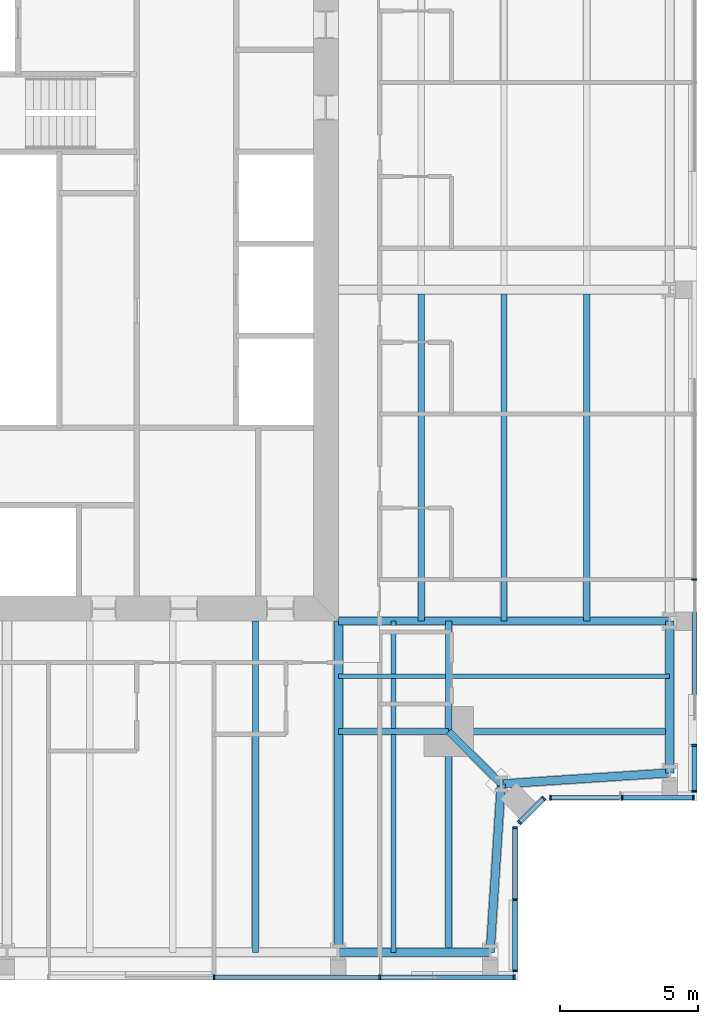
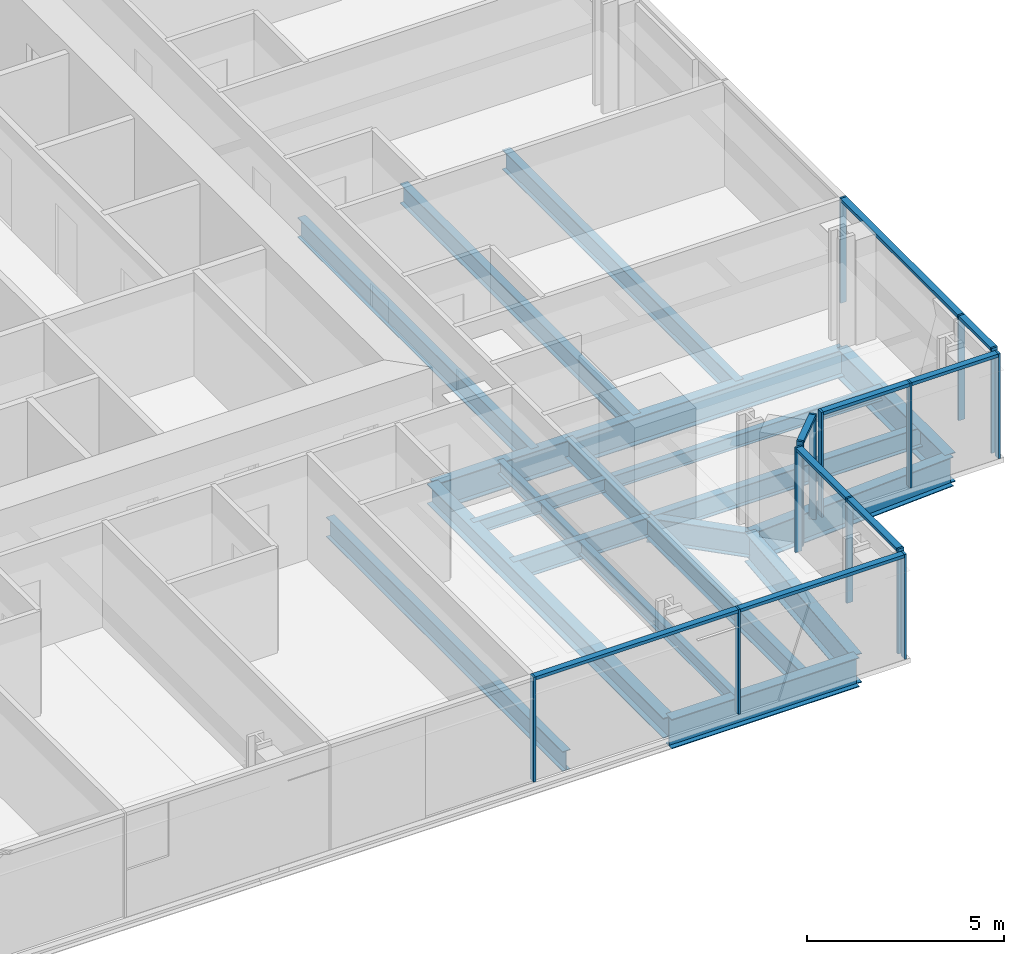
# One storey, part 5 of 20: 23 members, 20 beams, 5 elements without a shape of their own.
"""IFC4 building model written with IfcOpenShell, lengths in metres."""

from ifc_helpers import new_model, si_unit, direction, frame, origin, origin_2d, place, context, subcontext, project, spatial, rectangle, i_section, extrude, material, material_profile, profile_set, type_object, element, aggregate, save


model = new_model("IFC4")

# Units and contexts
model_context = context("Model", 3, precision=1e-05, world=origin(), true_north=direction((0.0, 1.0)))
body_context = subcontext(model_context, "Body", "Model", "MODEL_VIEW")
ifc_project = project(units=[si_unit("LENGTHUNIT", "METRE"), si_unit("AREAUNIT", "SQUARE_METRE"), si_unit("VOLUMEUNIT", "CUBIC_METRE"), si_unit("PLANEANGLEUNIT", "RADIAN"), si_unit("MASSUNIT", "GRAM", prefix="KILO")], contexts=[model_context])

# Site, building, storey
site_placement = place(None, origin())
site = spatial("IfcSite", under=ifc_project, at=site_placement, CompositionType="ELEMENT")
building_placement = place(site_placement, origin())
building = spatial("IfcBuilding", under=site, at=building_placement, Name="Fenwick Lantern Interchange", CompositionType="ELEMENT")
storey_placement = place(building_placement, frame((0.0, 0.0, 252.60009765625)))
storey = spatial("IfcBuildingStorey", under=building, at=storey_placement, Name="L59", CompositionType="ELEMENT", Elevation=252.60009765625)

# Beams
ifc_material_1 = material(Name="Steel ASTM A992 Grade 50", Category="steel")
ifc_material_profile_1 = material_profile(ifc_material_1, i_section(OverallWidth=0.3046875, OverallDepth=0.911865234375, WebThickness=0.015869140625, FlangeThickness=0.02392578125, at=origin_2d()), Name="W36X150")
ifc_profile_set_1 = profile_set([ifc_material_profile_1], Name="Steel ASTM A992 Grade 50")
beam_type_1 = type_object("IfcBeamType", Name="EDGE BEAM W36X150", PredefinedType="SPANDREL", material=ifc_profile_set_1)
beam_1_placement = place(storey_placement, frame((37.0, 1.0, -0.60595703125), z_axis=(1.0, 0.0, 0.0), x_axis=(0.0, 1.0, 0.0)))
element("IfcBeam", 1, at=beam_1_placement, inside=storey, type_object=beam_type_1, Name="L59/FR/S/EB4", PredefinedType="SPANDREL", context=body_context, shape_type="SweptSolid", body=[
    extrude(i_section(OverallWidth=0.3046875, OverallDepth=0.911865234375, WebThickness=0.015869140625, FlangeThickness=0.02392578125, at=origin_2d()), origin(), (0.0, 0.0, 1.0), 5.5),
])
for number, where, z_axis, x_axis, name in (
    (2, (42.5, 1.0, -0.60595703125), (0.065416293237, 0.997858060337, 0.0), (-0.997858060337, 0.065416293237, 0.0), "L59/FR/S/EBR1"),
    (3, (42.89990234375, 7.10009765625, -0.60595703125), (0.997858060337, 0.065416293237, 0.0), (-0.065416293237, 0.997858060337, 0.0), "L59/FR/S/EBR2"),
):
    element("IfcBeam", number, at=place(storey_placement, frame(where, z_axis=z_axis, x_axis=x_axis)), inside=storey, type_object=beam_type_1, Name=name, PredefinedType="SPANDREL", context=body_context, shape_type="SweptSolid", body=[
        extrude(i_section(OverallWidth=0.3046875, OverallDepth=0.911865234375, WebThickness=0.015869140625, FlangeThickness=0.02392578125, at=origin_2d()), origin(), (0.0, 0.0, 1.0), 6.11328125),
    ])
beam_2_placement = place(storey_placement, frame((49.0, 7.5, -0.60595703125), z_axis=(0.0, 1.0, 0.0), x_axis=(-1.0, 0.0, 0.0)))
element("IfcBeam", 4, at=beam_2_placement, inside=storey, type_object=beam_type_1, Name="L59/FR/E/EB1", PredefinedType="SPANDREL", context=body_context, shape_type="SweptSolid", body=[
    extrude(i_section(OverallWidth=0.3046875, OverallDepth=0.911865234375, WebThickness=0.015869140625, FlangeThickness=0.02392578125, at=origin_2d()), origin(), (0.0, 0.0, 1.0), 5.5),
])
ifc_material_profile_2 = material_profile(ifc_material_1, i_section(OverallWidth=0.22900390625, OverallDepth=0.612060546875, WebThickness=0.011962890625, FlangeThickness=0.01953125, at=origin_2d()), Name="W24X84")
ifc_profile_set_2 = profile_set([ifc_material_profile_2], Name="Steel ASTM A992 Grade 50")
beam_type_2 = type_object("IfcBeamType", Name="FLOOR BEAM W24X84", PredefinedType="BEAM", material=ifc_profile_set_2)
beam_3_placement = place(storey_placement, frame((34.0, 1.0, -0.4560546875), z_axis=(0.0, 1.0, 0.0), x_axis=(-1.0, 0.0, 0.0)))
element("IfcBeam", 5, at=beam_3_placement, inside=storey, type_object=beam_type_2, Name="L59/FR/S/R08", PredefinedType="BEAM", context=body_context, shape_type="SweptSolid", body=[
    extrude(i_section(OverallWidth=0.22900390625, OverallDepth=0.612060546875, WebThickness=0.011962890625, FlangeThickness=0.01953125, at=origin_2d()), origin(), (0.0, 0.0, 1.0), 12.0),
])
for number, where, z_axis, x_axis, name in (
    (6, (46.0, 13.0, -0.4560546875), (0.0, 1.0, 0.0), (-1.0, 0.0, 0.0), "L59/FR/E/B01"),
    (7, (43.0, 13.0, -0.4560546875), (0.0, 1.0, 0.0), (-1.0, 0.0, 0.0), "L59/FR/E/B02"),
    (8, (40.0, 13.0, -0.4560546875), (0.0, 1.0, 0.0), (-1.0, 0.0, 0.0), "L59/FR/E/B03"),
):
    element("IfcBeam", number, at=place(storey_placement, frame(where, z_axis=z_axis, x_axis=x_axis)), inside=storey, type_object=beam_type_2, Name=name, PredefinedType="BEAM", context=body_context, shape_type="SweptSolid", body=[
        extrude(i_section(OverallWidth=0.22900390625, OverallDepth=0.612060546875, WebThickness=0.011962890625, FlangeThickness=0.01953125, at=origin_2d()), origin(), (0.0, 0.0, 1.0), 11.844970703125),
    ])

# Curtain wall, members
ifc_material_2 = material(Name="Aluminium curtain wall frame", Category="aluminium")
curtain_wall_type = type_object("IfcCurtainWallType", Name="HOTEL CURTAIN WALL", PredefinedType="USERDEFINED", material=ifc_material_2)
curtain_wall_1_placement = place(storey_placement, origin())
curtain_wall_1 = element("IfcCurtainWall", 9, at=curtain_wall_1_placement, inside=storey, type_object=curtain_wall_type, Name="Hotel curtain wall 01", ObjectType="HOTEL CURTAIN WALL", PredefinedType="USERDEFINED")
ifc_material_3 = material(Name="Aluminium extrusion", Category="aluminium")
ifc_material_profile_3 = material_profile(ifc_material_3, rectangle(XDim=0.179931640625, YDim=0.06005859375, at=origin_2d()), Name="HOTEL CURTAIN WALL MULLION 60 X 180")
ifc_profile_set_3 = profile_set([ifc_material_profile_3], Name="Aluminium extrusion")
member_type_1 = type_object("IfcMemberType", Name="HOTEL CURTAIN WALL MULLION 60 X 180", PredefinedType="MULLION", material=ifc_profile_set_3)
member_1_placement = place(storey_placement, frame((32.5, 0.10009765625, 0.0), z_axis=(0.0, 0.0, 1.0), x_axis=(0.0, 1.0, 0.0)))
member_1 = element("IfcMember", 10, at=member_1_placement, type_object=member_type_1, Name="L59/CW/01/M05", PredefinedType="MULLION", context=body_context, shape_type="SweptSolid", body=[
    extrude(rectangle(XDim=0.179931640625, YDim=0.06005859375, at=origin_2d()), origin(), (0.0, 0.0, 1.0), 3.25),
])
member_2_placement = place(storey_placement, frame((38.5, 0.10009765625, 0.0), z_axis=(0.0, 0.0, 1.0), x_axis=(0.0, 1.0, 0.0)))
member_2 = element("IfcMember", 11, at=member_2_placement, type_object=member_type_1, Name="L59/CW/01/M06", PredefinedType="MULLION", context=body_context, shape_type="SweptSolid", body=[
    extrude(rectangle(XDim=0.179931640625, YDim=0.06005859375, at=origin_2d()), origin(), (0.0, 0.0, 1.0), 3.25),
])
member_3_placement = place(storey_placement, frame((43.3701171875, 0.10009765625, 0.0), z_axis=(0.0, 0.0, 1.0), x_axis=(0.0, 1.0, 0.0)))
member_3 = element("IfcMember", 12, at=member_3_placement, type_object=member_type_1, Name="L59/CW/01/M07", PredefinedType="MULLION", context=body_context, shape_type="SweptSolid", body=[
    extrude(rectangle(XDim=0.179931640625, YDim=0.06005859375, at=origin_2d()), origin(), (0.0, 0.0, 1.0), 3.25),
])

curtain_wall_2_placement = place(storey_placement, origin())
curtain_wall_2 = element("IfcCurtainWall", 13, at=curtain_wall_2_placement, inside=storey, type_object=curtain_wall_type, Name="Hotel curtain wall 02", ObjectType="HOTEL CURTAIN WALL", PredefinedType="USERDEFINED")
member_4_placement = place(storey_placement, frame((43.39990234375, 0.330078125, 0.0), z_axis=(0.0, 0.0, 1.0), x_axis=(-1.0, 0.0, 0.0)))
member_4 = element("IfcMember", 14, at=member_4_placement, type_object=member_type_1, Name="L59/CW/02/M00", PredefinedType="MULLION", context=body_context, shape_type="SweptSolid", body=[
    extrude(rectangle(XDim=0.179931640625, YDim=0.06005859375, at=origin_2d()), origin(), (0.0, 0.0, 1.0), 3.25),
])
member_5_placement = place(storey_placement, frame((43.39990234375, 2.920654296875, 0.0), z_axis=(0.0, 0.0, 1.0), x_axis=(-1.0, 0.0, 0.0)))
member_5 = element("IfcMember", 15, at=member_5_placement, type_object=member_type_1, Name="L59/CW/02/M01", PredefinedType="MULLION", context=body_context, shape_type="SweptSolid", body=[
    extrude(rectangle(XDim=0.179931640625, YDim=0.06005859375, at=origin_2d()), origin(), (0.0, 0.0, 1.0), 3.25),
])
member_6_placement = place(storey_placement, frame((43.39990234375, 5.511474609375, 0.0), z_axis=(0.0, 0.0, 1.0), x_axis=(-1.0, 0.0, 0.0)))
member_6 = element("IfcMember", 16, at=member_6_placement, type_object=member_type_1, Name="L59/CW/02/M02", PredefinedType="MULLION", context=body_context, shape_type="SweptSolid", body=[
    extrude(rectangle(XDim=0.179931640625, YDim=0.06005859375, at=origin_2d()), origin(), (0.0, 0.0, 1.0), 3.25),
])

curtain_wall_3_placement = place(storey_placement, origin())
curtain_wall_3 = element("IfcCurtainWall", 17, at=curtain_wall_3_placement, inside=storey, type_object=curtain_wall_type, Name="Hotel curtain wall 03", ObjectType="HOTEL CURTAIN WALL", PredefinedType="USERDEFINED")
member_7_placement = place(storey_placement, frame((43.562744140625, 5.7041015625, 0.0), z_axis=(0.0, 0.0, 1.0), x_axis=(-0.707106781187, 0.707106781187, 0.0)))
member_7 = element("IfcMember", 18, at=member_7_placement, type_object=member_type_1, Name="L59/CW/03/M00", PredefinedType="MULLION", context=body_context, shape_type="SweptSolid", body=[
    extrude(rectangle(XDim=0.179931640625, YDim=0.06005859375, at=origin_2d()), origin(), (0.0, 0.0, 1.0), 3.25),
])
member_8_placement = place(storey_placement, frame((44.437255859375, 6.578857421875, 0.0), z_axis=(0.0, 0.0, 1.0), x_axis=(-0.707106781187, 0.707106781187, 0.0)))
member_8 = element("IfcMember", 19, at=member_8_placement, type_object=member_type_1, Name="L59/CW/03/M01", PredefinedType="MULLION", context=body_context, shape_type="SweptSolid", body=[
    extrude(rectangle(XDim=0.179931640625, YDim=0.06005859375, at=origin_2d()), origin(), (0.0, 0.0, 1.0), 3.25),
])

curtain_wall_4_placement = place(storey_placement, origin())
curtain_wall_4 = element("IfcCurtainWall", 20, at=curtain_wall_4_placement, inside=storey, type_object=curtain_wall_type, Name="Hotel curtain wall 04", ObjectType="HOTEL CURTAIN WALL", PredefinedType="USERDEFINED")
member_9_placement = place(storey_placement, frame((44.6884765625, 6.60009765625, 0.0), z_axis=(0.0, 0.0, 1.0), x_axis=(0.0, 1.0, 0.0)))
member_9 = element("IfcMember", 21, at=member_9_placement, type_object=member_type_1, Name="L59/CW/04/M00", PredefinedType="MULLION", context=body_context, shape_type="SweptSolid", body=[
    extrude(rectangle(XDim=0.179931640625, YDim=0.06005859375, at=origin_2d()), origin(), (0.0, 0.0, 1.0), 3.25),
])
member_10_placement = place(storey_placement, frame((47.279296875, 6.60009765625, 0.0), z_axis=(0.0, 0.0, 1.0), x_axis=(0.0, 1.0, 0.0)))
member_10 = element("IfcMember", 22, at=member_10_placement, type_object=member_type_1, Name="L59/CW/04/M01", PredefinedType="MULLION", context=body_context, shape_type="SweptSolid", body=[
    extrude(rectangle(XDim=0.179931640625, YDim=0.06005859375, at=origin_2d()), origin(), (0.0, 0.0, 1.0), 3.25),
])
member_11_placement = place(storey_placement, frame((49.8701171875, 6.60009765625, 0.0), z_axis=(0.0, 0.0, 1.0), x_axis=(0.0, 1.0, 0.0)))
member_11 = element("IfcMember", 23, at=member_11_placement, type_object=member_type_1, Name="L59/CW/04/M02", PredefinedType="MULLION", context=body_context, shape_type="SweptSolid", body=[
    extrude(rectangle(XDim=0.179931640625, YDim=0.06005859375, at=origin_2d()), origin(), (0.0, 0.0, 1.0), 3.25),
])

curtain_wall_5_placement = place(storey_placement, origin())
curtain_wall_5 = element("IfcCurtainWall", 24, at=curtain_wall_5_placement, inside=storey, type_object=curtain_wall_type, Name="Hotel curtain wall 05", ObjectType="HOTEL CURTAIN WALL", PredefinedType="USERDEFINED")
member_12_placement = place(storey_placement, frame((49.89990234375, 6.830078125, 0.0), z_axis=(0.0, 0.0, 1.0), x_axis=(-1.0, 0.0, 0.0)))
member_12 = element("IfcMember", 25, at=member_12_placement, type_object=member_type_1, Name="L59/CW/05/M00", PredefinedType="MULLION", context=body_context, shape_type="SweptSolid", body=[
    extrude(rectangle(XDim=0.179931640625, YDim=0.06005859375, at=origin_2d()), origin(), (0.0, 0.0, 1.0), 3.25),
])
member_13_placement = place(storey_placement, frame((49.89990234375, 8.5, 0.0), z_axis=(0.0, 0.0, 1.0), x_axis=(-1.0, 0.0, 0.0)))
member_13 = element("IfcMember", 26, at=member_13_placement, type_object=member_type_1, Name="L59/CW/05/M01", PredefinedType="MULLION", context=body_context, shape_type="SweptSolid", body=[
    extrude(rectangle(XDim=0.179931640625, YDim=0.06005859375, at=origin_2d()), origin(), (0.0, 0.0, 1.0), 3.25),
])
member_14_placement = place(storey_placement, frame((49.89990234375, 14.5, 0.0), z_axis=(0.0, 0.0, 1.0), x_axis=(-1.0, 0.0, 0.0)))
member_14 = element("IfcMember", 27, at=member_14_placement, type_object=member_type_1, Name="L59/CW/05/M02", PredefinedType="MULLION", context=body_context, shape_type="SweptSolid", body=[
    extrude(rectangle(XDim=0.179931640625, YDim=0.06005859375, at=origin_2d()), origin(), (0.0, 0.0, 1.0), 3.25),
])

# Member
ifc_material_profile_4 = material_profile(ifc_material_3, rectangle(XDim=0.179931640625, YDim=0.10009765625, at=origin_2d()), Name="HOTEL CURTAIN WALL TRANSOM 100 X 180")
ifc_profile_set_4 = profile_set([ifc_material_profile_4], Name="Aluminium extrusion")
member_type_2 = type_object("IfcMemberType", Name="HOTEL CURTAIN WALL TRANSOM 100 X 180", PredefinedType="MULLION", material=ifc_profile_set_4)
member_15_placement = place(storey_placement, frame((32.530029296875, 0.10009765625, 3.199951171875), z_axis=(1.0, 0.0, 0.0), x_axis=(0.0, 1.0, 0.0)))
member_15 = element("IfcMember", 28, at=member_15_placement, type_object=member_type_2, Name="L59/CW/01/T05", PredefinedType="MULLION", context=body_context, shape_type="SweptSolid", body=[
    extrude(rectangle(XDim=0.179931640625, YDim=0.10009765625, at=origin_2d()), origin(), (0.0, 0.0, 1.0), 5.93994140625),
])

member_16_placement = place(storey_placement, frame((38.530029296875, 0.10009765625, 3.199951171875), z_axis=(1.0, 0.0, 0.0), x_axis=(0.0, 1.0, 0.0)))
member_16 = element("IfcMember", 29, at=member_16_placement, type_object=member_type_2, Name="L59/CW/01/T06", PredefinedType="MULLION", context=body_context, shape_type="SweptSolid", body=[
    extrude(rectangle(XDim=0.179931640625, YDim=0.10009765625, at=origin_2d()), origin(), (0.0, 0.0, 1.0), 4.81005859375),
])

aggregate(curtain_wall_1, [member_1, member_2, member_3, member_15, member_16])

member_17_placement = place(storey_placement, frame((43.39990234375, 0.360107421875, 3.199951171875), z_axis=(0.0, 1.0, 0.0), x_axis=(-1.0, 0.0, 0.0)))
member_17 = element("IfcMember", 30, at=member_17_placement, type_object=member_type_2, Name="L59/CW/02/T00", PredefinedType="MULLION", context=body_context, shape_type="SweptSolid", body=[
    extrude(rectangle(XDim=0.179931640625, YDim=0.10009765625, at=origin_2d()), origin(), (0.0, 0.0, 1.0), 2.530517578125),
])

member_18_placement = place(storey_placement, frame((43.39990234375, 2.95068359375, 3.199951171875), z_axis=(0.0, 1.0, 0.0), x_axis=(-1.0, 0.0, 0.0)))
member_18 = element("IfcMember", 31, at=member_18_placement, type_object=member_type_2, Name="L59/CW/02/T01", PredefinedType="MULLION", context=body_context, shape_type="SweptSolid", body=[
    extrude(rectangle(XDim=0.179931640625, YDim=0.10009765625, at=origin_2d()), origin(), (0.0, 0.0, 1.0), 2.53076171875),
])

aggregate(curtain_wall_2, [member_4, member_5, member_6, member_17, member_18])

member_19_placement = place(storey_placement, frame((43.583740234375, 5.725341796875, 3.199951171875), z_axis=(0.707210470133, 0.707003077033, 0.0), x_axis=(-0.707003077033, 0.707210470133, 0.0)))
member_19 = element("IfcMember", 32, at=member_19_placement, type_object=member_type_2, Name="L59/CW/03/T00", PredefinedType="MULLION", context=body_context, shape_type="SweptSolid", body=[
    extrude(rectangle(XDim=0.179931640625, YDim=0.10009765625, at=origin_2d()), origin(), (0.0, 0.0, 1.0), 1.17724609375),
])

aggregate(curtain_wall_3, [member_7, member_8, member_19])

member_20_placement = place(storey_placement, frame((44.718505859375, 6.60009765625, 3.199951171875), z_axis=(1.0, 0.0, 0.0), x_axis=(0.0, 1.0, 0.0)))
member_20 = element("IfcMember", 33, at=member_20_placement, type_object=member_type_2, Name="L59/CW/04/T00", PredefinedType="MULLION", context=body_context, shape_type="SweptSolid", body=[
    extrude(rectangle(XDim=0.179931640625, YDim=0.10009765625, at=origin_2d()), origin(), (0.0, 0.0, 1.0), 2.53076171875),
])

member_21_placement = place(storey_placement, frame((47.309326171875, 6.60009765625, 3.199951171875), z_axis=(1.0, 0.0, 0.0), x_axis=(0.0, 1.0, 0.0)))
member_21 = element("IfcMember", 34, at=member_21_placement, type_object=member_type_2, Name="L59/CW/04/T01", PredefinedType="MULLION", context=body_context, shape_type="SweptSolid", body=[
    extrude(rectangle(XDim=0.179931640625, YDim=0.10009765625, at=origin_2d()), origin(), (0.0, 0.0, 1.0), 2.53076171875),
])

aggregate(curtain_wall_4, [member_9, member_10, member_11, member_20, member_21])

member_22_placement = place(storey_placement, frame((49.89990234375, 6.860107421875, 3.199951171875), z_axis=(0.0, 1.0, 0.0), x_axis=(-1.0, 0.0, 0.0)))
member_22 = element("IfcMember", 35, at=member_22_placement, type_object=member_type_2, Name="L59/CW/05/T00", PredefinedType="MULLION", context=body_context, shape_type="SweptSolid", body=[
    extrude(rectangle(XDim=0.179931640625, YDim=0.10009765625, at=origin_2d()), origin(), (0.0, 0.0, 1.0), 1.60986328125),
])

member_23_placement = place(storey_placement, frame((49.89990234375, 8.530029296875, 3.199951171875), z_axis=(0.0, 1.0, 0.0), x_axis=(-1.0, 0.0, 0.0)))
member_23 = element("IfcMember", 36, at=member_23_placement, type_object=member_type_2, Name="L59/CW/05/T01", PredefinedType="MULLION", context=body_context, shape_type="SweptSolid", body=[
    extrude(rectangle(XDim=0.179931640625, YDim=0.10009765625, at=origin_2d()), origin(), (0.0, 0.0, 1.0), 5.93994140625),
])

aggregate(curtain_wall_5, [member_12, member_13, member_14, member_22, member_23])

# Beams
ifc_material_profile_5 = material_profile(ifc_material_1, i_section(OverallWidth=0.177734375, OverallDepth=0.406494140625, WebThickness=0.0078125, FlangeThickness=0.012939453125, at=origin_2d()), Name="W16X40")
ifc_profile_set_5 = profile_set([ifc_material_profile_5], Name="Steel ASTM A992 Grade 50")
beam_type_3 = type_object("IfcBeamType", Name="INFILL BEAM W16X40", PredefinedType="JOIST", material=ifc_profile_set_5)
beam_4_placement = place(storey_placement, frame((49.0, 11.0, -0.353271484375), z_axis=(-1.0, 0.0, 0.0), x_axis=(0.0, -1.0, 0.0)))
element("IfcBeam", 37, at=beam_4_placement, inside=storey, type_object=beam_type_3, Name="L59/FR/E/J1", PredefinedType="JOIST", context=body_context, shape_type="SweptSolid", body=[
    extrude(i_section(OverallWidth=0.177734375, OverallDepth=0.406494140625, WebThickness=0.0078125, FlangeThickness=0.012939453125, at=origin_2d()), origin(), (0.0, 0.0, 1.0), 7.885498046875),
])
beam_5_placement = place(storey_placement, frame((40.885498046875, 11.0, -0.353271484375), z_axis=(-1.0, 0.0, 0.0), x_axis=(0.0, -1.0, 0.0)))
element("IfcBeam", 38, at=beam_5_placement, inside=storey, type_object=beam_type_3, Name="L59/FR/E/J2", PredefinedType="JOIST", context=body_context, shape_type="SweptSolid", body=[
    extrude(i_section(OverallWidth=0.177734375, OverallDepth=0.406494140625, WebThickness=0.0078125, FlangeThickness=0.012939453125, at=origin_2d()), origin(), (0.0, 0.0, 1.0), 3.885498046875),
])
beam_6_placement = place(storey_placement, frame((39.0, 1.0, -0.353271484375), z_axis=(0.0, 1.0, 0.0), x_axis=(-1.0, 0.0, 0.0)))
element("IfcBeam", 39, at=beam_6_placement, inside=storey, type_object=beam_type_3, Name="L59/FR/E/J3", PredefinedType="JOIST", context=body_context, shape_type="SweptSolid", body=[
    extrude(i_section(OverallWidth=0.177734375, OverallDepth=0.406494140625, WebThickness=0.0078125, FlangeThickness=0.012939453125, at=origin_2d()), origin(), (0.0, 0.0, 1.0), 7.885498046875),
])
beam_7_placement = place(storey_placement, frame((39.0, 9.114501953125, -0.353271484375), z_axis=(0.0, 1.0, 0.0), x_axis=(-1.0, 0.0, 0.0)))
element("IfcBeam", 40, at=beam_7_placement, inside=storey, type_object=beam_type_3, Name="L59/FR/E/J4", PredefinedType="JOIST", context=body_context, shape_type="SweptSolid", body=[
    extrude(i_section(OverallWidth=0.177734375, OverallDepth=0.406494140625, WebThickness=0.0078125, FlangeThickness=0.012939453125, at=origin_2d()), origin(), (0.0, 0.0, 1.0), 1.796630859375),
])
beam_8_placement = place(storey_placement, frame((39.0, 11.0888671875, -0.353271484375), z_axis=(0.0, 1.0, 0.0), x_axis=(-1.0, 0.0, 0.0)))
element("IfcBeam", 41, at=beam_8_placement, inside=storey, type_object=beam_type_3, Name="L59/FR/E/J5", PredefinedType="JOIST", context=body_context, shape_type="SweptSolid", body=[
    extrude(i_section(OverallWidth=0.177734375, OverallDepth=0.406494140625, WebThickness=0.0078125, FlangeThickness=0.012939453125, at=origin_2d()), origin(), (0.0, 0.0, 1.0), 1.9111328125),
])
ifc_material_profile_6 = material_profile(ifc_material_1, i_section(OverallWidth=0.22900390625, OverallDepth=0.612060546875, WebThickness=0.011962890625, FlangeThickness=0.01953125, at=origin_2d()), Name="W24X84")
ifc_profile_set_6 = profile_set([ifc_material_profile_6], Name="Steel ASTM A992 Grade 50")
beam_type_4 = type_object("IfcBeamType", Name="MEGA COLUMN BEAM W24X84", PredefinedType="BEAM", material=ifc_profile_set_6)
for number, where, z_axis, x_axis, name in (
    (42, (41.0, 9.0, -0.4560546875), (1.0, 0.0, 0.0), (0.0, 1.0, 0.0), "L59/FR/E/MB1"),
    (43, (41.0, 9.0, -0.4560546875), (0.0, -1.0, 0.0), (1.0, 0.0, 0.0), "L59/FR/E/MB2"),
):
    element("IfcBeam", number, at=place(storey_placement, frame(where, z_axis=z_axis, x_axis=x_axis)), inside=storey, type_object=beam_type_4, Name=name, PredefinedType="BEAM", context=body_context, shape_type="SweptSolid", body=[
        extrude(i_section(OverallWidth=0.22900390625, OverallDepth=0.612060546875, WebThickness=0.011962890625, FlangeThickness=0.01953125, at=origin_2d()), origin(), (0.0, 0.0, 1.0), 8.0),
    ])
for number, where, z_axis, x_axis, name in (
    (44, (41.0, 9.0, -0.4560546875), (0.0, 1.0, 0.0), (-1.0, 0.0, 0.0), "L59/FR/E/MB3"),
    (45, (41.0, 9.0, -0.4560546875), (-1.0, 0.0, 0.0), (0.0, -1.0, 0.0), "L59/FR/E/MB4"),
):
    element("IfcBeam", number, at=place(storey_placement, frame(where, z_axis=z_axis, x_axis=x_axis)), inside=storey, type_object=beam_type_4, Name=name, PredefinedType="BEAM", context=body_context, shape_type="SweptSolid", body=[
        extrude(i_section(OverallWidth=0.22900390625, OverallDepth=0.612060546875, WebThickness=0.011962890625, FlangeThickness=0.01953125, at=origin_2d()), origin(), (0.0, 0.0, 1.0), 4.0),
    ])
ifc_material_profile_7 = material_profile(ifc_material_1, i_section(OverallWidth=0.32763671875, OverallDepth=0.622314453125, WebThickness=0.015380859375, FlangeThickness=0.0244140625, at=origin_2d()), Name="W24X131")
ifc_profile_set_7 = profile_set([ifc_material_profile_7], Name="Steel ASTM A992 Grade 50")
beam_type_5 = type_object("IfcBeamType", Name="MOMENT-CONNECTED GIRDER W24X131", PredefinedType="BEAM", material=ifc_profile_set_7)
beam_9_placement = place(storey_placement, frame((37.0, 1.0, -0.461181640625), z_axis=(0.0, 1.0, 0.0), x_axis=(-1.0, 0.0, 0.0)))
element("IfcBeam", 46, at=beam_9_placement, inside=storey, type_object=beam_type_5, Name="L59/FR/S/R09", PredefinedType="BEAM", context=body_context, shape_type="SweptSolid", body=[
    extrude(i_section(OverallWidth=0.32763671875, OverallDepth=0.622314453125, WebThickness=0.015380859375, FlangeThickness=0.0244140625, at=origin_2d()), origin(), (0.0, 0.0, 1.0), 12.0),
])
ifc_material_profile_8 = material_profile(ifc_material_1, i_section(OverallWidth=0.2919921875, OverallDepth=0.845703125, WebThickness=0.015380859375, FlangeThickness=0.0244140625, at=origin_2d()), Name="W33X141")
ifc_profile_set_8 = profile_set([ifc_material_profile_8], Name="Steel ASTM A992 Grade 50")
beam_type_6 = type_object("IfcBeamType", Name="MOMENT-CONNECTED GIRDER W33X141", PredefinedType="BEAM", material=ifc_profile_set_8)
beam_10_placement = place(storey_placement, frame((49.0, 13.0, -0.572998046875), z_axis=(-1.0, 0.0, 0.0), x_axis=(0.0, -1.0, 0.0)))
element("IfcBeam", 47, at=beam_10_placement, inside=storey, type_object=beam_type_6, Name="L59/FR/E/R01", PredefinedType="BEAM", context=body_context, shape_type="SweptSolid", body=[
    extrude(i_section(OverallWidth=0.2919921875, OverallDepth=0.845703125, WebThickness=0.015380859375, FlangeThickness=0.0244140625, at=origin_2d()), origin(), (0.0, 0.0, 1.0), 12.0),
])
ifc_material_profile_9 = material_profile(ifc_material_1, i_section(OverallWidth=0.2666015625, OverallDepth=0.7568359375, WebThickness=0.013916015625, FlangeThickness=0.019287109375, at=origin_2d()), Name="W30X108")
ifc_profile_set_9 = profile_set([ifc_material_profile_9], Name="Steel ASTM A992 Grade 50")
beam_type_7 = type_object("IfcBeamType", Name="NOTCH BEAM W30X108", PredefinedType="BEAM", material=ifc_profile_set_9)
beam_11_placement = place(storey_placement, frame((41.0, 9.0, -0.528564453125), z_axis=(0.707106781187, -0.707106781187, 0.0), x_axis=(0.707106781187, 0.707106781187, 0.0)))
element("IfcBeam", 48, at=beam_11_placement, inside=storey, type_object=beam_type_7, Name="L59/FR/E/TG", PredefinedType="BEAM", context=body_context, shape_type="SweptSolid", body=[
    extrude(i_section(OverallWidth=0.2666015625, OverallDepth=0.7568359375, WebThickness=0.013916015625, FlangeThickness=0.019287109375, at=origin_2d()), origin(), (0.0, 0.0, 1.0), 2.686767578125),
])

save(model, "model.ifc")
